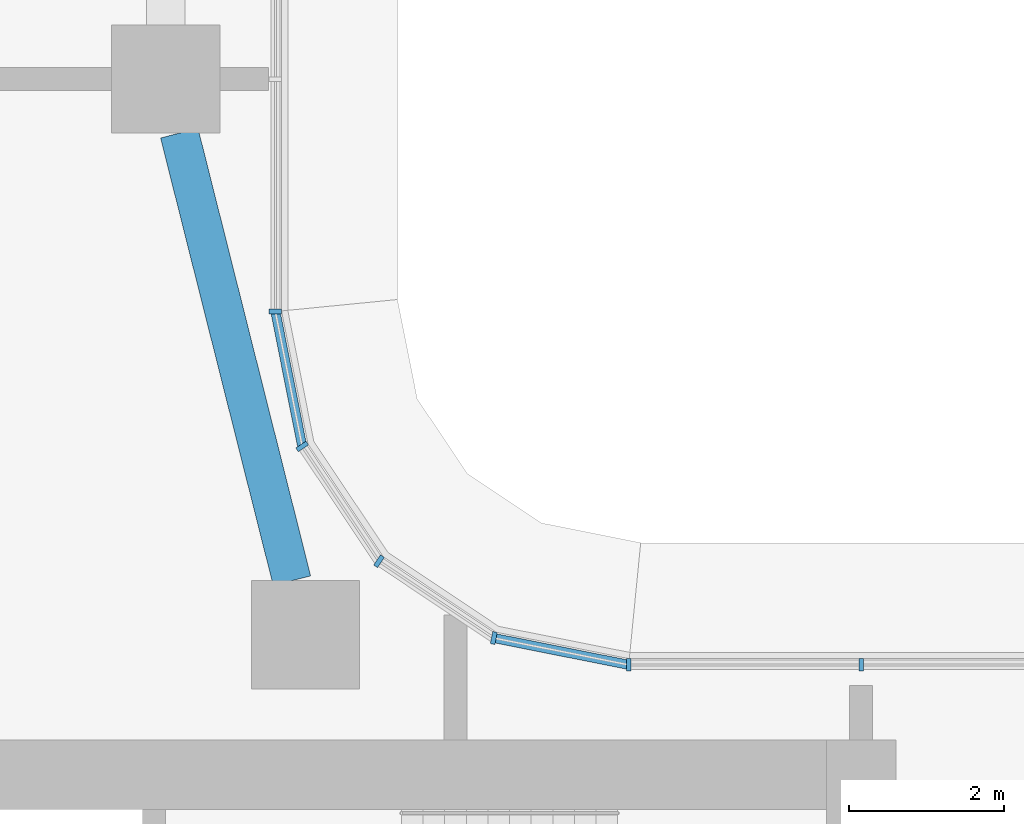
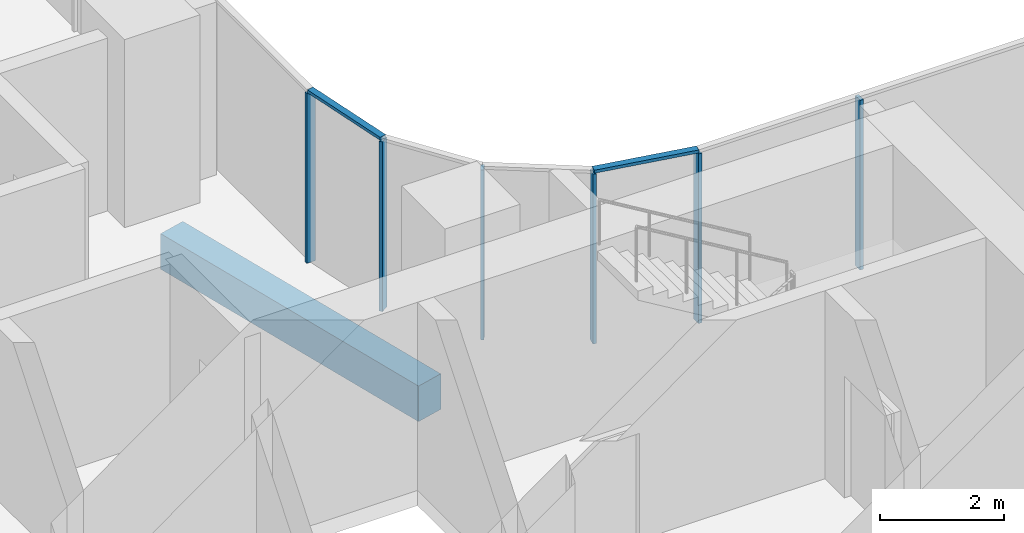
# One storey, part 2 of 36: 8 members, 1 beam, 3 elements without a shape of their own.
"""IFC4 building model written with IfcOpenShell, lengths in metres."""

from ifc_helpers import new_model, si_unit, direction, frame, origin, origin_2d, place, context, subcontext, project, spatial, rectangle, extrude, material, material_profile, profile_set, type_object, element, aggregate, save


model = new_model("IFC4")

# Units and contexts
model_context = context("Model", 3, precision=1e-05, world=origin(), true_north=direction((0.0, 1.0)))
body_context = subcontext(model_context, "Body", "Model", "MODEL_VIEW")
ifc_project = project(units=[si_unit("LENGTHUNIT", "METRE"), si_unit("AREAUNIT", "SQUARE_METRE"), si_unit("VOLUMEUNIT", "CUBIC_METRE"), si_unit("PLANEANGLEUNIT", "RADIAN"), si_unit("MASSUNIT", "GRAM", prefix="KILO")], contexts=[model_context])

# Site, building, storey
site_placement = place(None, origin())
site = spatial("IfcSite", under=ifc_project, at=site_placement, CompositionType="ELEMENT")
building_placement = place(site_placement, origin())
building = spatial("IfcBuilding", under=site, at=building_placement, Name="Ogive Portal Towers", CompositionType="ELEMENT")
storey_placement = place(building_placement, frame((0.0, 0.0, 70.5)))
storey = spatial("IfcBuildingStorey", under=building, at=storey_placement, Name="L16", CompositionType="ELEMENT", Elevation=70.5)

# Curtain wall, members
ifc_material_1 = material(Name="Glass, clear low-iron insulated glazing", Category="glass")
curtain_wall_type = type_object("IfcCurtainWallType", Name="CW FRONT RIBBON 4500", PredefinedType="NOTDEFINED", material=ifc_material_1)
curtain_wall_1_placement = place(storey_placement, origin())
curtain_wall_1 = element("IfcCurtainWall", 1, at=curtain_wall_1_placement, inside=storey, type_object=curtain_wall_type, Name="A:L16:f12:cw0", PredefinedType="NOTDEFINED")
ifc_material_2 = material(Name="Aluminium 6063 anodised", Category="aluminium")
ifc_material_profile_1 = material_profile(ifc_material_2, rectangle(XDim=0.159912109375, YDim=0.06005859375, at=origin_2d()), Name="AL 60x160")
ifc_profile_set_1 = profile_set([ifc_material_profile_1], Name="Aluminium 6063 anodised")
member_type_1 = type_object("IfcMemberType", Name="CW MULLION 60x160", PredefinedType="MULLION", material=ifc_profile_set_1)
member_1_placement = place(storey_placement, frame((58.5, 40.919921875, 0.0), z_axis=(0.0, 0.0, 1.0), x_axis=(0.0, -1.0, 0.0)))
member_1 = element("IfcMember", 2, at=member_1_placement, type_object=member_type_1, Name="mullion", PredefinedType="MULLION", context=body_context, shape_type="SweptSolid", body=[
    extrude(rectangle(XDim=0.159912109375, YDim=0.06005859375, at=origin_2d()), origin(), (0.0, 0.0, 1.0), 3.340087890625),
])
member_2_placement = place(storey_placement, frame((55.4921875, 40.919921875, 0.0), z_axis=(0.0, 0.0, 1.0), x_axis=(0.0, -1.0, 0.0)))
member_2 = element("IfcMember", 3, at=member_2_placement, type_object=member_type_1, Name="mullion", PredefinedType="MULLION", context=body_context, shape_type="SweptSolid", body=[
    extrude(rectangle(XDim=0.159912109375, YDim=0.06005859375, at=origin_2d()), origin(), (0.0, 0.0, 1.0), 3.340087890625),
])
aggregate(curtain_wall_1, [member_1, member_2])

# Curtain wall, member
curtain_wall_2_placement = place(storey_placement, origin())
curtain_wall_2 = element("IfcCurtainWall", 4, at=curtain_wall_2_placement, inside=storey, type_object=curtain_wall_type, Name="A:L16:f17:cw0", PredefinedType="NOTDEFINED")
member_3_placement = place(storey_placement, frame((50.919921875, 45.4921875, 0.0), z_axis=(0.0, 0.0, 1.0), x_axis=(-1.0, 0.0, 0.0)))
member_3 = element("IfcMember", 5, at=member_3_placement, type_object=member_type_1, Name="mullion", PredefinedType="MULLION", context=body_context, shape_type="SweptSolid", body=[
    extrude(rectangle(XDim=0.159912109375, YDim=0.06005859375, at=origin_2d()), origin(), (0.0, 0.0, 1.0), 3.340087890625),
])
aggregate(curtain_wall_2, [member_3])

# Curtain wall, members
curtain_wall_3_placement = place(storey_placement, origin())
curtain_wall_3 = element("IfcCurtainWall", 6, at=curtain_wall_3_placement, inside=storey, type_object=curtain_wall_type, Name="A:L16:f13:cwa", PredefinedType="NOTDEFINED")
member_4_placement = place(storey_placement, frame((53.746826171875, 41.26708984375, 0.0), z_axis=(0.0, 0.0, 1.0), x_axis=(-0.195090322016, -0.980785280403, 0.0)))
member_4 = element("IfcMember", 7, at=member_4_placement, type_object=member_type_1, Name="mullion", PredefinedType="MULLION", context=body_context, shape_type="SweptSolid", body=[
    extrude(rectangle(XDim=0.159912109375, YDim=0.06005859375, at=origin_2d()), origin(), (0.0, 0.0, 1.0), 3.340087890625),
])
member_5_placement = place(storey_placement, frame((52.26025390625, 42.26025390625, 0.0), z_axis=(0.0, 0.0, 1.0), x_axis=(-0.55557023302, -0.831469612303, 0.0)))
member_5 = element("IfcMember", 8, at=member_5_placement, type_object=member_type_1, Name="mullion", PredefinedType="MULLION", context=body_context, shape_type="SweptSolid", body=[
    extrude(rectangle(XDim=0.159912109375, YDim=0.06005859375, at=origin_2d()), origin(), (0.0, 0.0, 1.0), 3.340087890625),
])
member_6_placement = place(storey_placement, frame((51.26708984375, 43.746826171875, 0.0), z_axis=(0.0, 0.0, 1.0), x_axis=(-0.831469612303, -0.55557023302, 0.0)))
member_6 = element("IfcMember", 9, at=member_6_placement, type_object=member_type_1, Name="mullion", PredefinedType="MULLION", context=body_context, shape_type="SweptSolid", body=[
    extrude(rectangle(XDim=0.159912109375, YDim=0.06005859375, at=origin_2d()), origin(), (0.0, 0.0, 1.0), 3.340087890625),
])
ifc_material_profile_2 = material_profile(ifc_material_2, rectangle(XDim=0.1201171875, YDim=0.06005859375, at=origin_2d()), Name="AL 120x60")
ifc_profile_set_2 = profile_set([ifc_material_profile_2], Name="Aluminium 6063 anodised")
member_type_2 = type_object("IfcMemberType", Name="CW TRANSOM 60x120", PredefinedType="USERDEFINED", material=ifc_profile_set_2)
member_7_placement = place(storey_placement, frame((55.4921875, 40.919921875, 3.3701171875), z_axis=(-0.980785923915, 0.195087086838, 0.0), x_axis=(-0.195087086838, -0.980785923915, 0.0)))
member_7 = element("IfcMember", 10, at=member_7_placement, type_object=member_type_2, Name="transom", ObjectType="TRANSOM", PredefinedType="USERDEFINED", context=body_context, shape_type="SweptSolid", body=[
    extrude(rectangle(XDim=0.1201171875, YDim=0.06005859375, at=origin_2d()), origin(), (0.0, 0.0, 1.0), 1.779541015625),
])
member_8_placement = place(storey_placement, frame((51.26708984375, 43.746826171875, 3.3701171875), z_axis=(-0.195087086838, 0.980785923915, 0.0), x_axis=(-0.980785923915, -0.195087086838, 0.0)))
member_8 = element("IfcMember", 11, at=member_8_placement, type_object=member_type_2, Name="transom", ObjectType="TRANSOM", PredefinedType="USERDEFINED", context=body_context, shape_type="SweptSolid", body=[
    extrude(rectangle(XDim=0.1201171875, YDim=0.06005859375, at=origin_2d()), origin(), (0.0, 0.0, 1.0), 1.779541015625),
])
aggregate(curtain_wall_3, [member_7, member_8, member_4, member_5, member_6])

# Beam
ifc_material_3 = material(Name="Concrete C40/50", Category="concrete")
ifc_material_profile_3 = material_profile(ifc_material_3, rectangle(XDim=0.5, YDim=0.699951171875, at=origin_2d()), Name="RC 500x700")
ifc_profile_set_3 = profile_set([ifc_material_profile_3], Name="Concrete C40/50")
beam_type = type_object("IfcBeamType", Name="SPANDREL BEAM RC 500x700", PredefinedType="BEAM", material=ifc_profile_set_3)
beam_placement = place(storey_placement, frame((49.67626953125, 47.800048828125, -0.64990234375), z_axis=(0.24411317639, -0.969746748957, 0.0), x_axis=(0.969746748957, 0.24411317639, 0.0)))
element("IfcBeam", 12, at=beam_placement, inside=storey, type_object=beam_type, Name="Spandrel beam L16", PredefinedType="BEAM", context=body_context, shape_type="SweptSolid", body=[
    extrude(rectangle(XDim=0.5, YDim=0.699951171875, at=origin_2d()), origin(), (0.0, 0.0, 1.0), 5.970703125),
])

save(model, "model.ifc")
